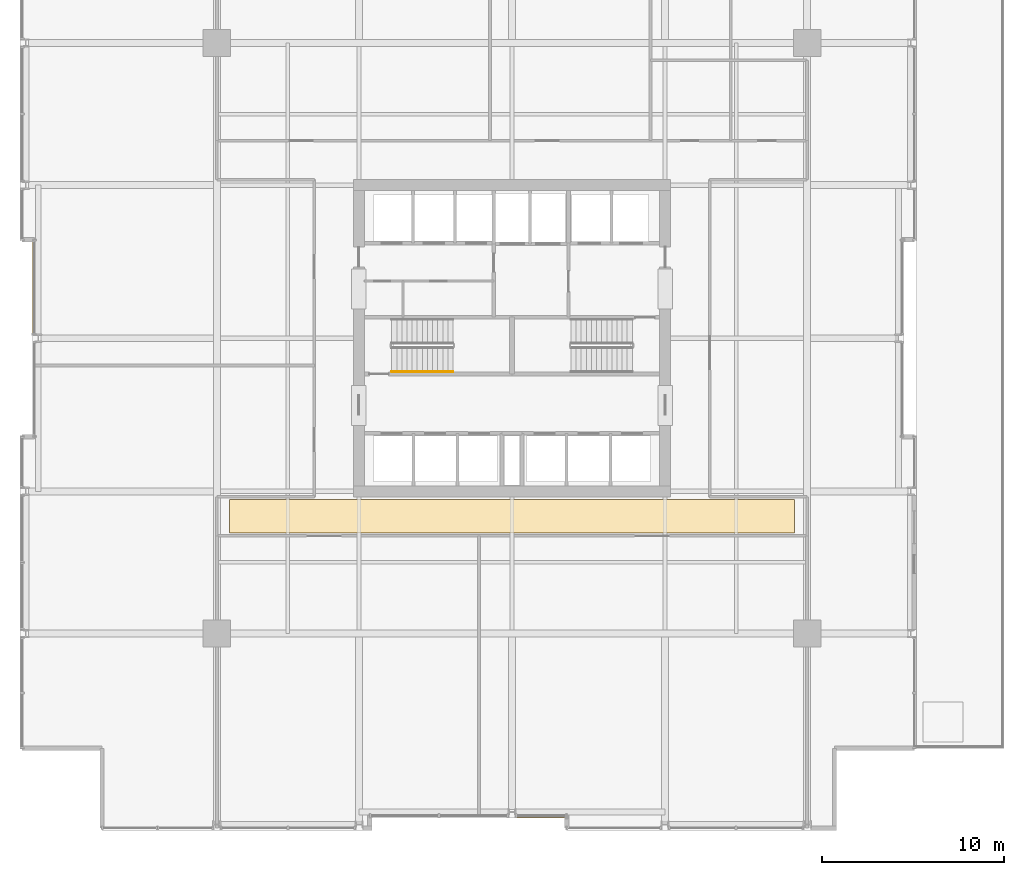
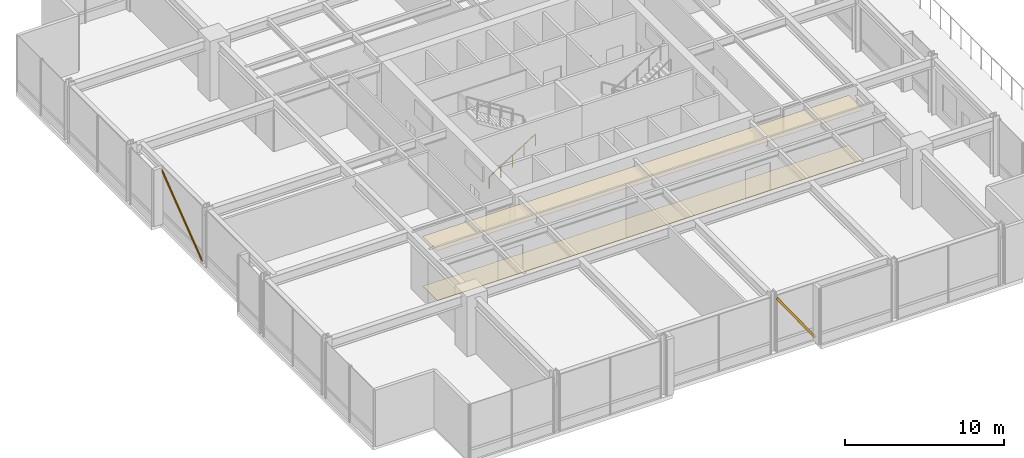
# One storey, part 31 of 33: 2 coverings, 2 shading devices, 1 railing.
"""IFC4 building model written with IfcOpenShell, lengths in metres."""

from ifc_helpers import new_model, si_unit, direction, frame, origin, origin_2d, place, context, subcontext, project, spatial, polyline, hollow_rectangle, circle, outline, extrude, material, layer, layer_set, material_profile, profile_set, type_object, element, save


model = new_model("IFC4")

# Units and contexts
model_context = context("Model", 3, precision=1e-05, world=origin(), true_north=direction((0.0, 1.0)))
body_context = subcontext(model_context, "Body", "Model", "MODEL_VIEW")
ifc_project = project(units=[si_unit("LENGTHUNIT", "METRE"), si_unit("AREAUNIT", "SQUARE_METRE"), si_unit("VOLUMEUNIT", "CUBIC_METRE"), si_unit("PLANEANGLEUNIT", "RADIAN"), si_unit("MASSUNIT", "GRAM", prefix="KILO")], contexts=[model_context])

# Site, building, storey
site_placement = place(None, origin())
site = spatial("IfcSite", under=ifc_project, at=site_placement, CompositionType="ELEMENT")
building_placement = place(site_placement, origin())
building = spatial("IfcBuilding", under=site, at=building_placement, Name="Drelvath Grand Hotel", CompositionType="ELEMENT")
storey_placement = place(building_placement, frame((0.0, 0.0, 87.199951171875)))
storey = spatial("IfcBuildingStorey", under=building, at=storey_placement, Name="L21", CompositionType="ELEMENT", Elevation=87.199951171875)

# Covering
ifc_material_1 = material(Name="Acoustic Gypsum Board")
ifc_layer_1 = layer(ifc_material_1, 0.02490234375)
ifc_layer_set_1 = layer_set([ifc_layer_1], Name="Acoustic Gypsum Board")
covering_type_1 = type_object("IfcCoveringType", Name="Acoustic Gypsum Hospitality Ceiling 25", PredefinedType="CEILING", material=ifc_layer_set_1)
covering_1_placement = place(storey_placement, frame((0.0, 0.0, 3.840087890625)))
element("IfcCovering", 1, at=covering_1_placement, inside=storey, type_object=covering_type_1, Name="L21 Sky Foyer Ceiling", PredefinedType="CEILING", context=body_context, shape_type="SweptSolid", body=[
    extrude(outline(polyline([(15.5, 16.300048828125), (15.5, 18.14990234375), (-15.5, 18.14990234375), (-15.5, 16.300048828125), (15.5, 16.300048828125)])), origin(), (0.0, 0.0, 1.0), 0.02490234375),
])

# Railing
ifc_material_2 = material(Name="Painted Steel S275", Category="steel")
railing_type = type_object("IfcRailingType", Name="Core Stair Wall Handrail 900", PredefinedType="HANDRAIL", material=ifc_material_2)
railing_placement = place(storey_placement, frame((-6.60009765625, 25.169921875, 0.177001953125)))
element("IfcRailing", 2, at=railing_placement, inside=storey, type_object=railing_type, Name="L21 ST-1 stair handrail 1", PredefinedType="HANDRAIL", context=body_context, shape_type="SweptSolid", body=[
    extrude(circle(Radius=0.02392578125, at=origin_2d()), frame((0.0, 0.0, 0.8759765625), z_axis=(0.845389635667, 0.0, 0.534150132366), x_axis=(0.0, 1.0, 0.0)), (0.0, 0.0, 1.0), 3.974609375),
    extrude(circle(Radius=0.02099609375, at=origin_2d()), origin(), (0.0, 0.0, 1.0), 0.851806640625),
    extrude(circle(Radius=0.02099609375, at=origin_2d()), frame((0.840087890625, 0.0, 0.53076171875)), (0.0, 0.0, 1.0), 0.851806640625),
    extrude(circle(Radius=0.02099609375, at=origin_2d()), frame((1.68017578125, 0.0, 1.0615234375)), (0.0, 0.0, 1.0), 0.851806640625),
    extrude(circle(Radius=0.02099609375, at=origin_2d()), frame((2.52001953125, 0.0, 1.59228515625)), (0.0, 0.0, 1.0), 0.851806640625),
    extrude(circle(Radius=0.02099609375, at=origin_2d()), frame((3.360107421875, 0.0, 2.123046875)), (0.0, 0.0, 1.0), 0.851806640625),
])

# Shading devices
ifc_material_3 = material(Name="Champagne Bronze Anodised Aluminium", Category="aluminium")
ifc_material_profile = material_profile(ifc_material_3, hollow_rectangle(XDim=0.06494140625, YDim=0.159912109375, WallThickness=0.00390625, at=origin_2d()), Name="HSS160X65X4")
ifc_profile_set = profile_set([ifc_material_profile], Name="Champagne Bronze Anodised Aluminium")
shading_device_type = type_object("IfcShadingDeviceType", Name="Diagonal Solar Fin Champagne Anodised HSS160X65X4", PredefinedType="USERDEFINED", material=ifc_profile_set)
shading_device_1_placement = place(storey_placement, frame((-26.280029296875, 27.219482421875, 0.179931640625), z_axis=(0.0, 0.792972561678, 0.609257348274), x_axis=(-1.0, 0.0, 0.0)))
element("IfcShadingDevice", 3, at=shading_device_1_placement, inside=storey, type_object=shading_device_type, Name="L21 Diagonal Anodised Fin CW03-L21-WM2", ObjectType="FIN", PredefinedType="USERDEFINED", context=body_context, shape_type="SweptSolid", body=[
    extrude(hollow_rectangle(XDim=0.06494140625, YDim=0.159912109375, WallThickness=0.00390625, at=origin_2d()), origin(), (0.0, 0.0, 1.0), 6.532958984375),
])
shading_device_2_placement = place(storey_placement, frame((3.0, 0.719970703125, 0.179931640625), z_axis=(-0.572682516654, 0.0, 0.819777247256), x_axis=(0.0, -1.0, 0.0)))
element("IfcShadingDevice", 4, at=shading_device_2_placement, inside=storey, type_object=shading_device_type, Name="L21 Diagonal Anodised Fin CW03-L21-SM2", ObjectType="FIN", PredefinedType="USERDEFINED", context=body_context, shape_type="SweptSolid", body=[
    extrude(hollow_rectangle(XDim=0.06494140625, YDim=0.159912109375, WallThickness=0.00390625, at=origin_2d()), origin(), (0.0, 0.0, 1.0), 4.855224609375),
])

# Covering
ifc_material_4 = material(Name="Honed Indiana Limestone", Category="masonry")
ifc_layer_2 = layer(ifc_material_4, 0.030029296875)
ifc_layer_set_2 = layer_set([ifc_layer_2], Name="Honed Indiana Limestone")
covering_type_2 = type_object("IfcCoveringType", Name="Honed Limestone Lobby Flooring 30", PredefinedType="FLOORING", material=ifc_layer_set_2)
covering_2_placement = place(storey_placement, origin())
element("IfcCovering", 5, at=covering_2_placement, inside=storey, type_object=covering_type_2, Name="L21 Sky Foyer Stone Floor", PredefinedType="FLOORING", context=body_context, shape_type="SweptSolid", body=[
    extrude(outline(polyline([(15.5, 16.300048828125), (15.5, 18.14990234375), (-15.5, 18.14990234375), (-15.5, 16.300048828125), (15.5, 16.300048828125)])), origin(), (0.0, 0.0, 1.0), 0.030029296875),
])

save(model, "model.ifc")
